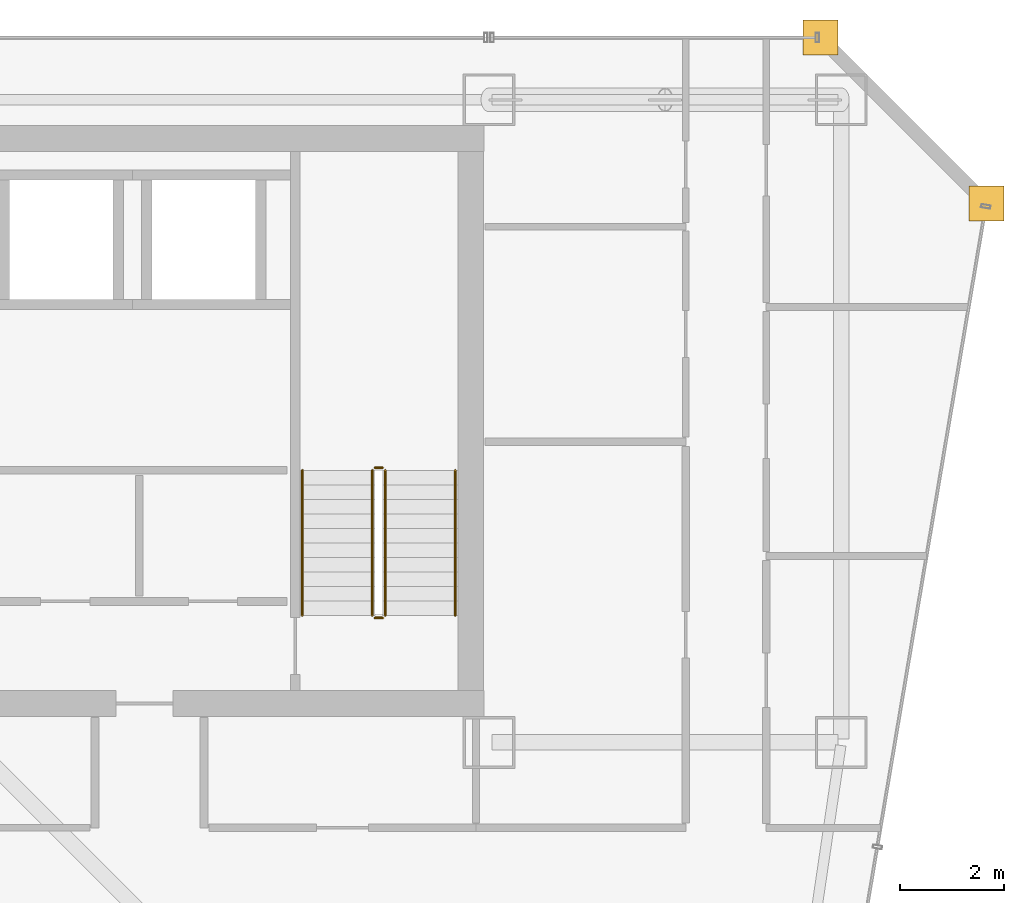
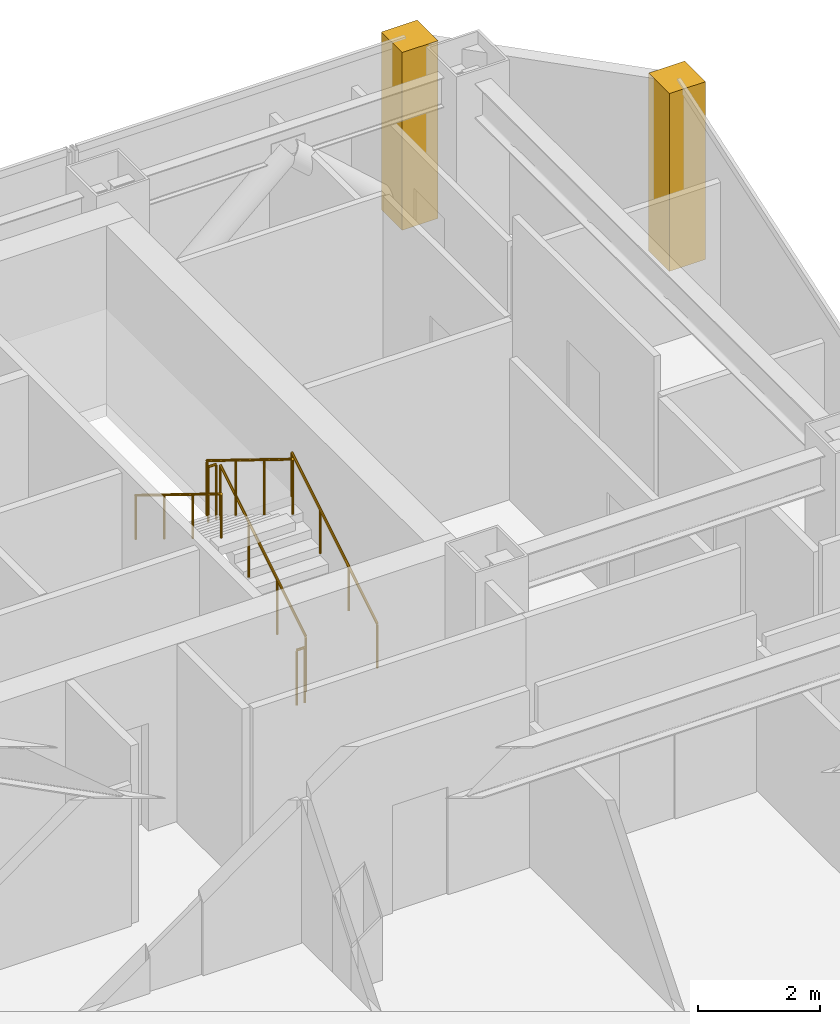
# One storey, part 36 of 36: 6 railings, 2 coverings.
"""IFC4 building model written with IfcOpenShell, lengths in metres."""

from ifc_helpers import new_model, si_unit, direction, frame, origin, origin_2d, place, context, subcontext, project, spatial, polyline, circle, outline, extrude, material, layer, layer_set, type_object, element, save


model = new_model("IFC4")

# Units and contexts
model_context = context("Model", 3, precision=1e-05, world=origin(), true_north=direction((0.0, 1.0)))
body_context = subcontext(model_context, "Body", "Model", "MODEL_VIEW")
ifc_project = project(units=[si_unit("LENGTHUNIT", "METRE"), si_unit("AREAUNIT", "SQUARE_METRE"), si_unit("VOLUMEUNIT", "CUBIC_METRE"), si_unit("PLANEANGLEUNIT", "RADIAN"), si_unit("MASSUNIT", "GRAM", prefix="KILO")], contexts=[model_context])

# Site, building, storey
site_placement = place(None, origin())
site = spatial("IfcSite", under=ifc_project, at=site_placement, CompositionType="ELEMENT")
building_placement = place(site_placement, origin())
building = spatial("IfcBuilding", under=site, at=building_placement, Name="Saevonmaru Cultural Tower", CompositionType="ELEMENT")
storey_placement = place(building_placement, frame((0.0, 0.0, 171.39990234375)))
storey = spatial("IfcBuildingStorey", under=building, at=storey_placement, Name="L38", CompositionType="ELEMENT", Elevation=171.39990234375)

# Coverings
ifc_material_1 = material(Name="Satin Bronze Anodised Aluminium", Category="aluminium")
ifc_layer = layer(ifc_material_1, 0.679931640625, Name="Satin Bronze Anodised Aluminium")
ifc_layer_set = layer_set([ifc_layer], Name="Satin Bronze Anodised Aluminium")
covering_type = type_object("IfcCoveringType", Name="CV-CORNER-CLAD", PredefinedType="CLADDING", material=ifc_layer_set)
covering_1_placement = place(storey_placement, origin())
element("IfcCovering", 1, at=covering_1_placement, inside=storey, type_object=covering_type, Name="L38 Tower Bronze Corner Cladding Pier 9", PredefinedType="CLADDING", context=body_context, shape_type="SweptSolid", body=[
    extrude(outline(polyline([(55.659912109375, 52.4599609375), (56.340087890625, 52.4599609375), (56.340087890625, 53.139892578125), (55.659912109375, 53.139892578125), (55.659912109375, 52.4599609375)])), origin(), (0.0, 0.0, 1.0), 3.550048828125),
])
covering_2_placement = place(storey_placement, origin())
element("IfcCovering", 2, at=covering_2_placement, inside=storey, type_object=covering_type, Name="L38 Tower Bronze Corner Cladding Pier 10", PredefinedType="CLADDING", context=body_context, shape_type="SweptSolid", body=[
    extrude(outline(polyline([(52.4599609375, 55.659912109375), (53.139892578125, 55.659912109375), (53.139892578125, 56.340087890625), (52.4599609375, 56.340087890625), (52.4599609375, 55.659912109375)])), origin(), (0.0, 0.0, 1.0), 3.550048828125),
])

# Railings
ifc_material_2 = material(Name="Architectural Painted Steel", Category="steel")
railing_type_1 = type_object("IfcRailingType", Name="RL-STAIR-GUARD", PredefinedType="GUARDRAIL", material=ifc_material_2)
railing_1_placement = place(storey_placement, frame((44.39990234375, 44.85009765625, 0.1728515625)))
element("IfcRailing", 3, at=railing_1_placement, inside=storey, type_object=railing_type_1, Name="L38 ST-2 stair guard 1", PredefinedType="GUARDRAIL", context=body_context, shape_type="SweptSolid", body=[
    extrude(circle(Radius=0.02392578125, at=origin_2d()), frame((0.0, 0.0, 1.09619140625), z_axis=(0.0, 0.851069175582, 0.525053576669), x_axis=(-1.0, 0.0, 0.0)), (0.0, 0.0, 1.0), 3.289794921875),
    extrude(circle(Radius=0.02099609375, at=origin_2d()), origin(), (0.0, 0.0, 1.0), 1.072021484375),
    extrude(circle(Radius=0.02099609375, at=origin_2d()), frame((0.0, 0.933349609375, 0.57568359375)), (0.0, 0.0, 1.0), 1.072021484375),
    extrude(circle(Radius=0.02099609375, at=origin_2d()), frame((0.0, 1.866455078125, 1.151611328125)), (0.0, 0.0, 1.0), 1.072021484375),
    extrude(circle(Radius=0.02099609375, at=origin_2d()), frame((0.0, 2.7998046875, 1.727294921875)), (0.0, 0.0, 1.0), 1.072021484375),
])
railing_2_placement = place(storey_placement, frame((44.35009765625, 47.699951171875, 1.900146484375)))
element("IfcRailing", 4, at=railing_2_placement, inside=storey, type_object=railing_type_1, Name="L38 ST-2 stair guard 2", PredefinedType="GUARDRAIL", context=body_context, shape_type="SweptSolid", body=[
    extrude(circle(Radius=0.02392578125, at=origin_2d()), frame((0.0, 0.0, 1.09619140625), z_axis=(-1.0, 0.0, 0.0), x_axis=(0.0, -1.0, 0.0)), (0.0, 0.0, 1.0), 0.150146484375),
    extrude(circle(Radius=0.02099609375, at=origin_2d()), origin(), (0.0, 0.0, 1.0), 1.072021484375),
    extrude(circle(Radius=0.02099609375, at=origin_2d()), frame((-0.150146484375, 0.0, 0.0)), (0.0, 0.0, 1.0), 1.072021484375),
])
railing_3_placement = place(storey_placement, frame((44.14990234375, 47.64990234375, 2.07275390625)))
element("IfcRailing", 5, at=railing_3_placement, inside=storey, type_object=railing_type_1, Name="L38 ST-2 stair guard 3", PredefinedType="GUARDRAIL", context=body_context, shape_type="SweptSolid", body=[
    extrude(circle(Radius=0.02392578125, at=origin_2d()), frame((0.0, 0.0, 1.09619140625), z_axis=(0.0, -0.851069175582, 0.525053576669), x_axis=(1.0, 0.0, 0.0)), (0.0, 0.0, 1.0), 3.289794921875),
    extrude(circle(Radius=0.02099609375, at=origin_2d()), origin(), (0.0, 0.0, 1.0), 1.072021484375),
    extrude(circle(Radius=0.02099609375, at=origin_2d()), frame((0.0, -0.933349609375, 0.57568359375)), (0.0, 0.0, 1.0), 1.072021484375),
    extrude(circle(Radius=0.02099609375, at=origin_2d()), frame((0.0, -1.866455078125, 1.151611328125)), (0.0, 0.0, 1.0), 1.072021484375),
    extrude(circle(Radius=0.02099609375, at=origin_2d()), frame((0.0, -2.7998046875, 1.727294921875)), (0.0, 0.0, 1.0), 1.072021484375),
])
railing_4_placement = place(storey_placement, frame((44.35009765625, 44.800048828125, 0.0)))
element("IfcRailing", 6, at=railing_4_placement, inside=storey, type_object=railing_type_1, Name="L38 ST-2 stair guard 4", PredefinedType="GUARDRAIL", context=body_context, shape_type="SweptSolid", body=[
    extrude(circle(Radius=0.02392578125, at=origin_2d()), frame((0.0, 0.0, 1.09619140625), z_axis=(-1.0, 0.0, 0.0), x_axis=(0.0, -1.0, 0.0)), (0.0, 0.0, 1.0), 0.150146484375),
    extrude(circle(Radius=0.02099609375, at=origin_2d()), origin(), (0.0, 0.0, 1.0), 1.072021484375),
    extrude(circle(Radius=0.02099609375, at=origin_2d()), frame((-0.150146484375, 0.0, 0.0)), (0.0, 0.0, 1.0), 1.072021484375),
])
railing_type_2 = type_object("IfcRailingType", Name="RL-STAIR-HANDRAIL", PredefinedType="HANDRAIL", material=ifc_material_1)
railing_5_placement = place(storey_placement, frame((45.75, 44.85009765625, 0.1728515625)))
element("IfcRailing", 7, at=railing_5_placement, inside=storey, type_object=railing_type_2, Name="L38 ST-2 stair handrail 1", PredefinedType="HANDRAIL", context=body_context, shape_type="SweptSolid", body=[
    extrude(circle(Radius=0.02392578125, at=origin_2d()), frame((0.0, 0.0, 0.8759765625), z_axis=(0.0, 0.851069175582, 0.525053576669), x_axis=(-1.0, 0.0, 0.0)), (0.0, 0.0, 1.0), 3.289794921875),
    extrude(circle(Radius=0.02099609375, at=origin_2d()), origin(), (0.0, 0.0, 1.0), 0.851806640625),
    extrude(circle(Radius=0.02099609375, at=origin_2d()), frame((0.0, 0.933349609375, 0.57568359375)), (0.0, 0.0, 1.0), 0.851806640625),
    extrude(circle(Radius=0.02099609375, at=origin_2d()), frame((0.0, 1.866455078125, 1.151611328125)), (0.0, 0.0, 1.0), 0.851806640625),
    extrude(circle(Radius=0.02099609375, at=origin_2d()), frame((0.0, 2.7998046875, 1.727294921875)), (0.0, 0.0, 1.0), 0.851806640625),
])
railing_6_placement = place(storey_placement, frame((42.800048828125, 47.64990234375, 2.07275390625)))
element("IfcRailing", 8, at=railing_6_placement, inside=storey, type_object=railing_type_2, Name="L38 ST-2 stair handrail 2", PredefinedType="HANDRAIL", context=body_context, shape_type="SweptSolid", body=[
    extrude(circle(Radius=0.02392578125, at=origin_2d()), frame((0.0, 0.0, 0.8759765625), z_axis=(0.0, -0.851069175582, 0.525053576669), x_axis=(1.0, 0.0, 0.0)), (0.0, 0.0, 1.0), 3.289794921875),
    extrude(circle(Radius=0.02099609375, at=origin_2d()), origin(), (0.0, 0.0, 1.0), 0.851806640625),
    extrude(circle(Radius=0.02099609375, at=origin_2d()), frame((0.0, -0.933349609375, 0.57568359375)), (0.0, 0.0, 1.0), 0.851806640625),
    extrude(circle(Radius=0.02099609375, at=origin_2d()), frame((0.0, -1.866455078125, 1.151611328125)), (0.0, 0.0, 1.0), 0.851806640625),
    extrude(circle(Radius=0.02099609375, at=origin_2d()), frame((0.0, -2.7998046875, 1.727294921875)), (0.0, 0.0, 1.0), 0.851806640625),
])

save(model, "model.ifc")
